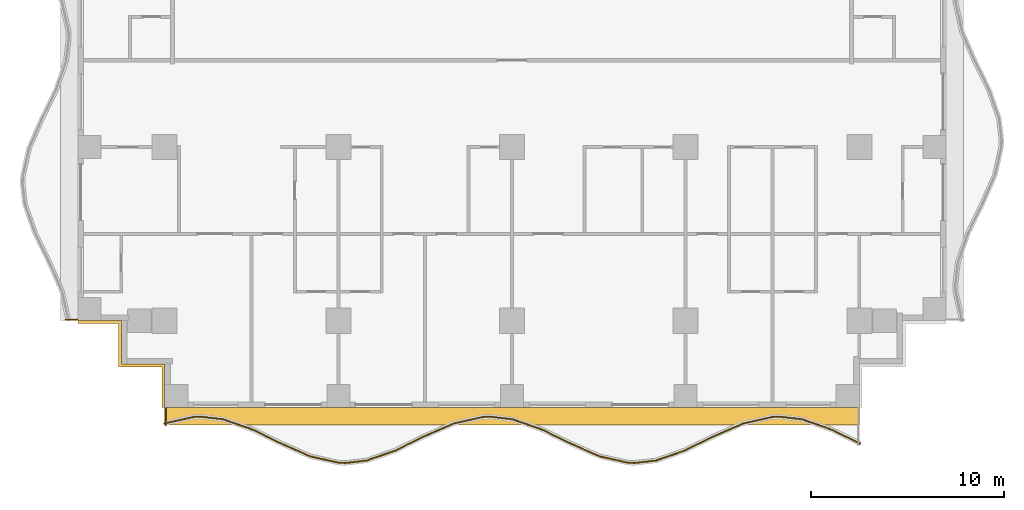
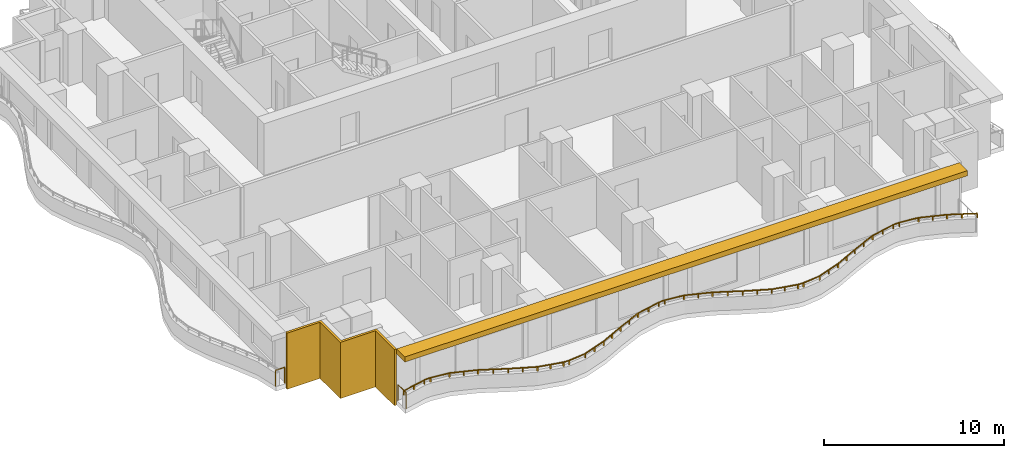
# One storey, part 7 of 10: 3 railings, 2 shading devices.
"""IFC4 building model written with IfcOpenShell, lengths in metres."""

from ifc_helpers import new_model, si_unit, direction, frame, origin, origin_2d, place, context, subcontext, project, spatial, polyline, rectangle, outline, extrude, material, layer, layer_set, type_object, element, save


model = new_model("IFC4")

# Units and contexts
model_context = context("Model", 3, precision=1e-05, world=origin(), true_north=direction((0.0, 1.0)))
body_context = subcontext(model_context, "Body", "Model", "MODEL_VIEW")
ifc_project = project(units=[si_unit("LENGTHUNIT", "METRE"), si_unit("AREAUNIT", "SQUARE_METRE"), si_unit("VOLUMEUNIT", "CUBIC_METRE"), si_unit("PLANEANGLEUNIT", "RADIAN"), si_unit("MASSUNIT", "GRAM", prefix="KILO")], contexts=[model_context])

# Site, building, storey
site_placement = place(None, origin())
site = spatial("IfcSite", under=ifc_project, at=site_placement, CompositionType="ELEMENT")
building_placement = place(site_placement, origin())
building = spatial("IfcBuilding", under=site, at=building_placement, Name="Orbiselva Terraces", CompositionType="ELEMENT")
storey_placement = place(building_placement, frame((0.0, 0.0, 132.6)))
storey = spatial("IfcBuildingStorey", under=building, at=storey_placement, Name="L33", CompositionType="ELEMENT", Elevation=132.6)

# Railings
ifc_material_1 = material(Name="Bonded two-ply safety glass balustrade, stainless steel posts", Category="steel")
railing_type_1 = type_object("IfcRailingType", Name="ENV-BALUSTRADE-1200", PredefinedType="BALUSTRADE", material=ifc_material_1)
railing_1_placement = place(storey_placement, frame((-18.027377, -18.829507, 0.9)))
element("IfcRailing", 1, at=railing_1_placement, inside=storey, type_object=railing_type_1, Name="Balcony balustrade L33 S", PredefinedType="BALUSTRADE", context=body_context, shape_type="SweptSolid", body=[
    extrude(outline(polyline([(0.028868, 0.0), (0.014434, 0.025), (-0.014434, 0.025), (-0.028868, 0.0), (-0.014434, -0.025), (0.014434, -0.025), (0.028868, 0.0)])), frame((0.0, 0.0, 0.275), z_axis=(0.97572138316, 0.219015484484, 0.0), x_axis=(-0.219015484484, 0.97572138316, 0.0)), (0.0, 0.0, 1.0), 1.548694),
    extrude(outline(polyline([(0.028868, 0.0), (0.014434, 0.025), (-0.014434, 0.025), (-0.028868, 0.0), (-0.014434, -0.025), (0.014434, -0.025), (0.028868, 0.0)])), frame((1.511094, 0.339188, 0.275), z_axis=(0.999224734286, 0.03936915532, 0.0), x_axis=(-0.03936915532, 0.999224734286, 0.0)), (0.0, 0.0, 1.0), 0.396376),
    extrude(outline(polyline([(0.028868, 0.0), (0.014434, 0.025), (-0.014434, 0.025), (-0.028868, 0.0), (-0.014434, -0.025), (0.014434, -0.025), (0.028868, 0.0)])), frame((1.907163, 0.354793, 0.275), z_axis=(0.993309551734, -0.115482182324, 0.0), x_axis=(0.115482182324, 0.993309551734, 0.0)), (0.0, 0.0, 1.0), 1.156135),
    extrude(outline(polyline([(0.028868, 0.0), (0.014434, 0.025), (-0.014434, 0.025), (-0.028868, 0.0), (-0.014434, -0.025), (0.014434, -0.025), (0.028868, 0.0)])), frame((3.055563, 0.22128, 0.275), z_axis=(0.943972332783, -0.330024597479, 0.0), x_axis=(0.330024597479, 0.943972332783, 0.0)), (0.0, 0.0, 1.0), 1.610253),
    extrude(outline(polyline([(0.028868, 0.0), (0.014434, 0.025), (-0.014434, 0.025), (-0.028868, 0.0), (-0.014434, -0.025), (0.014434, -0.025), (0.028868, 0.0)])), frame((4.575597, -0.310143, 0.275), z_axis=(0.898578870221, -0.438812048596, 0.0), x_axis=(0.438812048596, 0.898578870221, 0.0)), (0.0, 0.0, 1.0), 1.674225),
    extrude(outline(polyline([(0.028868, 0.0), (0.014434, 0.025), (-0.014434, 0.025), (-0.028868, 0.0), (-0.014434, -0.025), (0.014434, -0.025), (0.028868, 0.0)])), frame((6.08002, -1.044813, 0.275), z_axis=(0.915133363686, -0.403151245402, 0.0), x_axis=(0.403151245402, 0.915133363686, 0.0)), (0.0, 0.0, 1.0), 1.624475),
    extrude(outline(polyline([(0.028868, 0.0), (0.014434, 0.025), (-0.014434, 0.025), (-0.028868, 0.0), (-0.014434, -0.025), (0.014434, -0.025), (0.028868, 0.0)])), frame((7.566631, -1.699722, 0.275), z_axis=(0.975721325753, -0.219015740235, 0.0), x_axis=(0.219015740235, 0.975721325753, 0.0)), (0.0, 0.0, 1.0), 1.513782),
    extrude(outline(polyline([(0.028868, 0.0), (0.014434, 0.025), (-0.014434, 0.025), (-0.028868, 0.0), (-0.014434, -0.025), (0.014434, -0.025), (0.028868, 0.0)])), frame((9.04366, -2.031264, 0.275), z_axis=(0.999224931454, -0.039364150694, 0.0), x_axis=(0.039364150694, 0.999224931454, 0.0)), (0.0, 0.0, 1.0), 0.354206),
    extrude(outline(polyline([(0.028868, 0.0), (0.014434, 0.025), (-0.014434, 0.025), (-0.028868, 0.0), (-0.014434, -0.025), (0.014434, -0.025), (0.028868, 0.0)])), frame((9.397591, -2.045207, 0.275), z_axis=(0.993309658409, 0.115481264762, 0.0), x_axis=(-0.115481264762, 0.993309658409, 0.0)), (0.0, 0.0, 1.0), 1.10902),
    extrude(outline(polyline([(0.028868, 0.0), (0.014434, 0.025), (-0.014434, 0.025), (-0.028868, 0.0), (-0.014434, -0.025), (0.014434, -0.025), (0.028868, 0.0)])), frame((10.499191, -1.917136, 0.275), z_axis=(0.943972277814, 0.330024754707, 0.0), x_axis=(-0.330024754707, 0.943972277814, 0.0)), (0.0, 0.0, 1.0), 1.567807),
    extrude(outline(polyline([(0.028868, 0.0), (0.014434, 0.025), (-0.014434, 0.025), (-0.028868, 0.0), (-0.014434, -0.025), (0.014434, -0.025), (0.028868, 0.0)])), frame((11.979157, -1.399721, 0.275), z_axis=(0.89857890432, 0.438811978768, 0.0), x_axis=(-0.438811978768, 0.89857890432, 0.0)), (0.0, 0.0, 1.0), 1.66438),
    extrude(outline(polyline([(0.028868, 0.0), (0.014434, 0.025), (-0.014434, 0.025), (-0.028868, 0.0), (-0.014434, -0.025), (0.014434, -0.025), (0.028868, 0.0)])), frame((13.474734, -0.669371, 0.275), z_axis=(0.915133527237, 0.403150874148, 0.0), x_axis=(-0.403150874148, 0.915133527237, 0.0)), (0.0, 0.0, 1.0), 1.653736),
    extrude(outline(polyline([(0.028868, 0.0), (0.014434, 0.025), (-0.014434, 0.025), (-0.028868, 0.0), (-0.014434, -0.025), (0.014434, -0.025), (0.028868, 0.0)])), frame((14.988123, -0.002666, 0.275), z_axis=(0.97572137947, 0.219015500924, 0.0), x_axis=(-0.219015500924, 0.97572137947, 0.0)), (0.0, 0.0, 1.0), 1.560867),
    extrude(outline(polyline([(0.028868, 0.0), (0.014434, 0.025), (-0.014434, 0.025), (-0.028868, 0.0), (-0.014434, -0.025), (0.014434, -0.025), (0.028868, 0.0)])), frame((16.511094, 0.339188, 0.275), z_axis=(0.999224734286, 0.03936915532, 0.0), x_axis=(-0.03936915532, 0.999224734286, 0.0)), (0.0, 0.0, 1.0), 0.396376),
    extrude(outline(polyline([(0.028868, 0.0), (0.014434, 0.025), (-0.014434, 0.025), (-0.028868, 0.0), (-0.014434, -0.025), (0.014434, -0.025), (0.028868, 0.0)])), frame((16.907163, 0.354793, 0.275), z_axis=(0.993309551734, -0.115482182324, 0.0), x_axis=(0.115482182324, 0.993309551734, 0.0)), (0.0, 0.0, 1.0), 1.156135),
    extrude(outline(polyline([(0.028868, 0.0), (0.014434, 0.025), (-0.014434, 0.025), (-0.028868, 0.0), (-0.014434, -0.025), (0.014434, -0.025), (0.028868, 0.0)])), frame((18.055563, 0.22128, 0.275), z_axis=(0.943972332783, -0.330024597479, 0.0), x_axis=(0.330024597479, 0.943972332783, 0.0)), (0.0, 0.0, 1.0), 1.610253),
    extrude(outline(polyline([(0.028868, 0.0), (0.014434, 0.025), (-0.014434, 0.025), (-0.028868, 0.0), (-0.014434, -0.025), (0.014434, -0.025), (0.028868, 0.0)])), frame((19.575597, -0.310143, 0.275), z_axis=(0.898578870221, -0.438812048596, 0.0), x_axis=(0.438812048596, 0.898578870221, 0.0)), (0.0, 0.0, 1.0), 1.674225),
    extrude(outline(polyline([(0.028868, 0.0), (0.014434, 0.025), (-0.014434, 0.025), (-0.028868, 0.0), (-0.014434, -0.025), (0.014434, -0.025), (0.028868, 0.0)])), frame((21.08002, -1.044813, 0.275), z_axis=(0.915133363686, -0.403151245402, 0.0), x_axis=(0.403151245402, 0.915133363686, 0.0)), (0.0, 0.0, 1.0), 1.624475),
    extrude(outline(polyline([(0.028868, 0.0), (0.014434, 0.025), (-0.014434, 0.025), (-0.028868, 0.0), (-0.014434, -0.025), (0.014434, -0.025), (0.028868, 0.0)])), frame((22.566631, -1.699722, 0.275), z_axis=(0.975721325753, -0.219015740235, 0.0), x_axis=(0.219015740235, 0.975721325753, 0.0)), (0.0, 0.0, 1.0), 1.513782),
    extrude(outline(polyline([(0.028868, 0.0), (0.014434, 0.025), (-0.014434, 0.025), (-0.028868, 0.0), (-0.014434, -0.025), (0.014434, -0.025), (0.028868, 0.0)])), frame((24.04366, -2.031264, 0.275), z_axis=(0.999224931454, -0.039364150694, 0.0), x_axis=(0.039364150694, 0.999224931454, 0.0)), (0.0, 0.0, 1.0), 0.354206),
    extrude(outline(polyline([(0.028868, 0.0), (0.014434, 0.025), (-0.014434, 0.025), (-0.028868, 0.0), (-0.014434, -0.025), (0.014434, -0.025), (0.028868, 0.0)])), frame((24.397591, -2.045207, 0.275), z_axis=(0.993309658409, 0.115481264762, 0.0), x_axis=(-0.115481264762, 0.993309658409, 0.0)), (0.0, 0.0, 1.0), 1.10902),
    extrude(outline(polyline([(0.028868, 0.0), (0.014434, 0.025), (-0.014434, 0.025), (-0.028868, 0.0), (-0.014434, -0.025), (0.014434, -0.025), (0.028868, 0.0)])), frame((25.499191, -1.917136, 0.275), z_axis=(0.943972277814, 0.330024754707, 0.0), x_axis=(-0.330024754707, 0.943972277814, 0.0)), (0.0, 0.0, 1.0), 1.567807),
    extrude(outline(polyline([(0.028868, 0.0), (0.014434, 0.025), (-0.014434, 0.025), (-0.028868, 0.0), (-0.014434, -0.025), (0.014434, -0.025), (0.028868, 0.0)])), frame((26.979157, -1.399721, 0.275), z_axis=(0.89857890432, 0.438811978768, 0.0), x_axis=(-0.438811978768, 0.89857890432, 0.0)), (0.0, 0.0, 1.0), 1.66438),
    extrude(outline(polyline([(0.028868, 0.0), (0.014434, 0.025), (-0.014434, 0.025), (-0.028868, 0.0), (-0.014434, -0.025), (0.014434, -0.025), (0.028868, 0.0)])), frame((28.474734, -0.669371, 0.275), z_axis=(0.915133527237, 0.403150874148, 0.0), x_axis=(-0.403150874148, 0.915133527237, 0.0)), (0.0, 0.0, 1.0), 1.653736),
    extrude(outline(polyline([(0.028868, 0.0), (0.014434, 0.025), (-0.014434, 0.025), (-0.028868, 0.0), (-0.014434, -0.025), (0.014434, -0.025), (0.028868, 0.0)])), frame((29.988123, -0.002666, 0.275), z_axis=(0.97572137947, 0.219015500924, 0.0), x_axis=(-0.219015500924, 0.97572137947, 0.0)), (0.0, 0.0, 1.0), 1.560867),
    extrude(outline(polyline([(0.028868, 0.0), (0.014434, 0.025), (-0.014434, 0.025), (-0.028868, 0.0), (-0.014434, -0.025), (0.014434, -0.025), (0.028868, 0.0)])), frame((31.511094, 0.339188, 0.275), z_axis=(0.999224734286, 0.03936915532, 0.0), x_axis=(-0.03936915532, 0.999224734286, 0.0)), (0.0, 0.0, 1.0), 0.396376),
    extrude(outline(polyline([(0.028868, 0.0), (0.014434, 0.025), (-0.014434, 0.025), (-0.028868, 0.0), (-0.014434, -0.025), (0.014434, -0.025), (0.028868, 0.0)])), frame((31.907163, 0.354793, 0.275), z_axis=(0.993309551734, -0.115482182324, 0.0), x_axis=(0.115482182324, 0.993309551734, 0.0)), (0.0, 0.0, 1.0), 1.156135),
    extrude(outline(polyline([(0.028868, 0.0), (0.014434, 0.025), (-0.014434, 0.025), (-0.028868, 0.0), (-0.014434, -0.025), (0.014434, -0.025), (0.028868, 0.0)])), frame((33.055563, 0.22128, 0.275), z_axis=(0.943972332783, -0.330024597479, 0.0), x_axis=(0.330024597479, 0.943972332783, 0.0)), (0.0, 0.0, 1.0), 1.610253),
    extrude(outline(polyline([(0.028868, 0.0), (0.014434, 0.025), (-0.014434, 0.025), (-0.028868, 0.0), (-0.014434, -0.025), (0.014434, -0.025), (0.028868, 0.0)])), frame((34.575597, -0.310143, 0.275), z_axis=(0.898578809821, -0.43881217228, 0.0), x_axis=(0.43881217228, 0.898578809821, 0.0)), (0.0, 0.0, 1.0), 1.676683),
    extrude(rectangle(XDim=0.05, YDim=0.05, at=origin_2d()), origin(), (0.0, 0.0, 1.0), 0.25),
    extrude(rectangle(XDim=0.05, YDim=0.05, at=origin_2d()), frame((0.755547, 0.169594, 0.0)), (0.0, 0.0, 1.0), 0.25),
    extrude(rectangle(XDim=0.05, YDim=0.05, at=origin_2d()), frame((1.511094, 0.339188, 0.0)), (0.0, 0.0, 1.0), 0.25),
    extrude(rectangle(XDim=0.05, YDim=0.05, at=origin_2d()), frame((1.907163, 0.354793, 0.0)), (0.0, 0.0, 1.0), 0.25),
    extrude(rectangle(XDim=0.05, YDim=0.05, at=origin_2d()), frame((3.055563, 0.22128, 0.0)), (0.0, 0.0, 1.0), 0.25),
    extrude(rectangle(XDim=0.05, YDim=0.05, at=origin_2d()), frame((3.81558, -0.044431, 0.0)), (0.0, 0.0, 1.0), 0.25),
    extrude(rectangle(XDim=0.05, YDim=0.05, at=origin_2d()), frame((4.575597, -0.310143, 0.0)), (0.0, 0.0, 1.0), 0.25),
    extrude(rectangle(XDim=0.05, YDim=0.05, at=origin_2d()), frame((5.327809, -0.677478, 0.0)), (0.0, 0.0, 1.0), 0.25),
    extrude(rectangle(XDim=0.05, YDim=0.05, at=origin_2d()), frame((6.08002, -1.044813, 0.0)), (0.0, 0.0, 1.0), 0.25),
    extrude(rectangle(XDim=0.05, YDim=0.05, at=origin_2d()), frame((6.823326, -1.372268, 0.0)), (0.0, 0.0, 1.0), 0.25),
    extrude(rectangle(XDim=0.05, YDim=0.05, at=origin_2d()), frame((7.566631, -1.699722, 0.0)), (0.0, 0.0, 1.0), 0.25),
    extrude(rectangle(XDim=0.05, YDim=0.05, at=origin_2d()), frame((8.305146, -1.865493, 0.0)), (0.0, 0.0, 1.0), 0.25),
    extrude(rectangle(XDim=0.05, YDim=0.05, at=origin_2d()), frame((9.04366, -2.031264, 0.0)), (0.0, 0.0, 1.0), 0.25),
    extrude(rectangle(XDim=0.05, YDim=0.05, at=origin_2d()), frame((9.397591, -2.045207, 0.0)), (0.0, 0.0, 1.0), 0.25),
    extrude(rectangle(XDim=0.05, YDim=0.05, at=origin_2d()), frame((10.499191, -1.917136, 0.0)), (0.0, 0.0, 1.0), 0.25),
    extrude(rectangle(XDim=0.05, YDim=0.05, at=origin_2d()), frame((11.239174, -1.658428, 0.0)), (0.0, 0.0, 1.0), 0.25),
    extrude(rectangle(XDim=0.05, YDim=0.05, at=origin_2d()), frame((11.979157, -1.399721, 0.0)), (0.0, 0.0, 1.0), 0.25),
    extrude(rectangle(XDim=0.05, YDim=0.05, at=origin_2d()), frame((12.726946, -1.034546, 0.0)), (0.0, 0.0, 1.0), 0.25),
    extrude(rectangle(XDim=0.05, YDim=0.05, at=origin_2d()), frame((13.474734, -0.669371, 0.0)), (0.0, 0.0, 1.0), 0.25),
    extrude(rectangle(XDim=0.05, YDim=0.05, at=origin_2d()), frame((14.231429, -0.336019, 0.0)), (0.0, 0.0, 1.0), 0.25),
    extrude(rectangle(XDim=0.05, YDim=0.05, at=origin_2d()), frame((14.988123, -0.002666, 0.0)), (0.0, 0.0, 1.0), 0.25),
    extrude(rectangle(XDim=0.05, YDim=0.05, at=origin_2d()), frame((15.749608, 0.168261, 0.0)), (0.0, 0.0, 1.0), 0.25),
    extrude(rectangle(XDim=0.05, YDim=0.05, at=origin_2d()), frame((16.511094, 0.339188, 0.0)), (0.0, 0.0, 1.0), 0.25),
    extrude(rectangle(XDim=0.05, YDim=0.05, at=origin_2d()), frame((16.907163, 0.354793, 0.0)), (0.0, 0.0, 1.0), 0.25),
    extrude(rectangle(XDim=0.05, YDim=0.05, at=origin_2d()), frame((18.055563, 0.22128, 0.0)), (0.0, 0.0, 1.0), 0.25),
    extrude(rectangle(XDim=0.05, YDim=0.05, at=origin_2d()), frame((18.81558, -0.044431, 0.0)), (0.0, 0.0, 1.0), 0.25),
    extrude(rectangle(XDim=0.05, YDim=0.05, at=origin_2d()), frame((19.575597, -0.310143, 0.0)), (0.0, 0.0, 1.0), 0.25),
    extrude(rectangle(XDim=0.05, YDim=0.05, at=origin_2d()), frame((20.327809, -0.677478, 0.0)), (0.0, 0.0, 1.0), 0.25),
    extrude(rectangle(XDim=0.05, YDim=0.05, at=origin_2d()), frame((21.08002, -1.044813, 0.0)), (0.0, 0.0, 1.0), 0.25),
    extrude(rectangle(XDim=0.05, YDim=0.05, at=origin_2d()), frame((21.823326, -1.372268, 0.0)), (0.0, 0.0, 1.0), 0.25),
    extrude(rectangle(XDim=0.05, YDim=0.05, at=origin_2d()), frame((22.566631, -1.699722, 0.0)), (0.0, 0.0, 1.0), 0.25),
    extrude(rectangle(XDim=0.05, YDim=0.05, at=origin_2d()), frame((23.305146, -1.865493, 0.0)), (0.0, 0.0, 1.0), 0.25),
    extrude(rectangle(XDim=0.05, YDim=0.05, at=origin_2d()), frame((24.04366, -2.031264, 0.0)), (0.0, 0.0, 1.0), 0.25),
    extrude(rectangle(XDim=0.05, YDim=0.05, at=origin_2d()), frame((24.397591, -2.045207, 0.0)), (0.0, 0.0, 1.0), 0.25),
    extrude(rectangle(XDim=0.05, YDim=0.05, at=origin_2d()), frame((25.499191, -1.917136, 0.0)), (0.0, 0.0, 1.0), 0.25),
    extrude(rectangle(XDim=0.05, YDim=0.05, at=origin_2d()), frame((26.239174, -1.658428, 0.0)), (0.0, 0.0, 1.0), 0.25),
    extrude(rectangle(XDim=0.05, YDim=0.05, at=origin_2d()), frame((26.979157, -1.399721, 0.0)), (0.0, 0.0, 1.0), 0.25),
    extrude(rectangle(XDim=0.05, YDim=0.05, at=origin_2d()), frame((27.726946, -1.034546, 0.0)), (0.0, 0.0, 1.0), 0.25),
    extrude(rectangle(XDim=0.05, YDim=0.05, at=origin_2d()), frame((28.474734, -0.669371, 0.0)), (0.0, 0.0, 1.0), 0.25),
    extrude(rectangle(XDim=0.05, YDim=0.05, at=origin_2d()), frame((29.231428, -0.336019, 0.0)), (0.0, 0.0, 1.0), 0.25),
    extrude(rectangle(XDim=0.05, YDim=0.05, at=origin_2d()), frame((29.988123, -0.002666, 0.0)), (0.0, 0.0, 1.0), 0.25),
    extrude(rectangle(XDim=0.05, YDim=0.05, at=origin_2d()), frame((30.749608, 0.168261, 0.0)), (0.0, 0.0, 1.0), 0.25),
    extrude(rectangle(XDim=0.05, YDim=0.05, at=origin_2d()), frame((31.511094, 0.339188, 0.0)), (0.0, 0.0, 1.0), 0.25),
    extrude(rectangle(XDim=0.05, YDim=0.05, at=origin_2d()), frame((31.907163, 0.354793, 0.0)), (0.0, 0.0, 1.0), 0.25),
    extrude(rectangle(XDim=0.05, YDim=0.05, at=origin_2d()), frame((33.055563, 0.22128, 0.0)), (0.0, 0.0, 1.0), 0.25),
    extrude(rectangle(XDim=0.05, YDim=0.05, at=origin_2d()), frame((33.81558, -0.044431, 0.0)), (0.0, 0.0, 1.0), 0.25),
    extrude(rectangle(XDim=0.05, YDim=0.05, at=origin_2d()), frame((34.575597, -0.310143, 0.0)), (0.0, 0.0, 1.0), 0.25),
    extrude(rectangle(XDim=0.05, YDim=0.05, at=origin_2d()), frame((35.328913, -0.678018, 0.0)), (0.0, 0.0, 1.0), 0.25),
    extrude(rectangle(XDim=0.05, YDim=0.05, at=origin_2d()), frame((36.082229, -1.045892, 0.0)), (0.0, 0.0, 1.0), 0.25),
])
ifc_material_2 = material(Name="Stainless steel rail and posts", Category="steel")
railing_type_2 = type_object("IfcRailingType", Name="ENV-GUARD-1105", PredefinedType="BALUSTRADE", material=ifc_material_2)
railing_2_placement = place(storey_placement, frame((-17.94, -18.930416, 0.0)))
element("IfcRailing", 2, at=railing_2_placement, inside=storey, type_object=railing_type_2, Name="Balcony end guard L33 S", PredefinedType="BALUSTRADE", context=body_context, shape_type="SweptSolid", body=[
    extrude(outline(polyline([(0.028868, 0.0), (0.014434, 0.025), (-0.014434, 0.025), (-0.028868, 0.0), (-0.014434, -0.025), (0.014434, -0.025), (0.028868, 0.0)])), frame((0.0, 0.0, 1.08), z_axis=(0.0, 1.0, 0.0), x_axis=(-1.0, 0.0, 0.0)), (0.0, 0.0, 1.0), 0.905416),
    extrude(rectangle(XDim=0.05, YDim=0.05, at=origin_2d()), origin(), (0.0, 0.0, 1.0), 1.055),
    extrude(rectangle(XDim=0.05, YDim=0.05, at=origin_2d()), frame((0.0, 0.905416, 0.0)), (0.0, 0.0, 1.0), 1.055),
])
railing_3_placement = place(storey_placement, frame((-23.119866, -13.44, 0.0)))
element("IfcRailing", 3, at=railing_3_placement, inside=storey, type_object=railing_type_2, Name="Balcony end guard L33 W", PredefinedType="BALUSTRADE", context=body_context, shape_type="SweptSolid", body=[
    extrude(outline(polyline([(0.028868, 0.0), (0.014434, 0.025), (-0.014434, 0.025), (-0.028868, 0.0), (-0.014434, -0.025), (0.014434, -0.025), (0.028868, 0.0)])), frame((0.0, 0.0, 1.08), z_axis=(1.0, 0.0, 0.0), x_axis=(0.0, 1.0, 0.0)), (0.0, 0.0, 1.0), 0.594866),
    extrude(rectangle(XDim=0.05, YDim=0.05, at=origin_2d()), origin(), (0.0, 0.0, 1.0), 1.055),
    extrude(rectangle(XDim=0.05, YDim=0.05, at=origin_2d()), frame((0.594866, 0.0, 0.0)), (0.0, 0.0, 1.0), 1.055),
])

# Shading devices
ifc_material_3 = material(Name="Terracotta louvre screen", Category="masonry")
ifc_layer_1 = layer(ifc_material_3, 0.15)
ifc_layer_set_1 = layer_set([ifc_layer_1], Name="Terracotta louvre screen")
shading_device_type_1 = type_object("IfcShadingDeviceType", Name="ENV-SCREEN-150", PredefinedType="USERDEFINED", material=ifc_layer_set_1)
shading_device_1_placement = place(storey_placement, frame((0.0, 0.0, -0.3)))
element("IfcShadingDevice", 4, at=shading_device_1_placement, inside=storey, type_object=shading_device_type_1, Name="Louvre screen L33 SW", ObjectType="SCREEN", PredefinedType="USERDEFINED", context=body_context, shape_type="SweptSolid", body=[
    extrude(outline(polyline([(-22.5, -13.65), (-20.4, -13.65), (-20.4, -15.9), (-18.15, -15.9), (-18.15, -18.0), (-18.0, -18.0), (-18.0, -15.75), (-20.25, -15.75), (-20.25, -13.5), (-22.5, -13.5), (-22.5, -13.65)])), origin(), (0.0, 0.0, 1.0), 3.8),
])
ifc_material_4 = material(Name="Terracotta baguette sunshade", Category="masonry")
ifc_layer_2 = layer(ifc_material_4, 0.35)
ifc_layer_set_2 = layer_set([ifc_layer_2], Name="Terracotta baguette sunshade")
shading_device_type_2 = type_object("IfcShadingDeviceType", Name="ENV-SUNSHADE-900x350", PredefinedType="USERDEFINED", material=ifc_layer_set_2)
shading_device_2_placement = place(storey_placement, frame((0.0, 0.0, 3.15)))
element("IfcShadingDevice", 5, at=shading_device_2_placement, inside=storey, type_object=shading_device_type_2, Name="Sunshade band L33 S", ObjectType="SUNSHADE", PredefinedType="USERDEFINED", context=body_context, shape_type="SweptSolid", body=[
    extrude(outline(polyline([(-18.0, -18.9), (18.0, -18.9), (18.0, -18.0), (-18.0, -18.0), (-18.0, -18.9)])), origin(), (0.0, 0.0, 1.0), 0.35),
])

save(model, "model.ifc")
